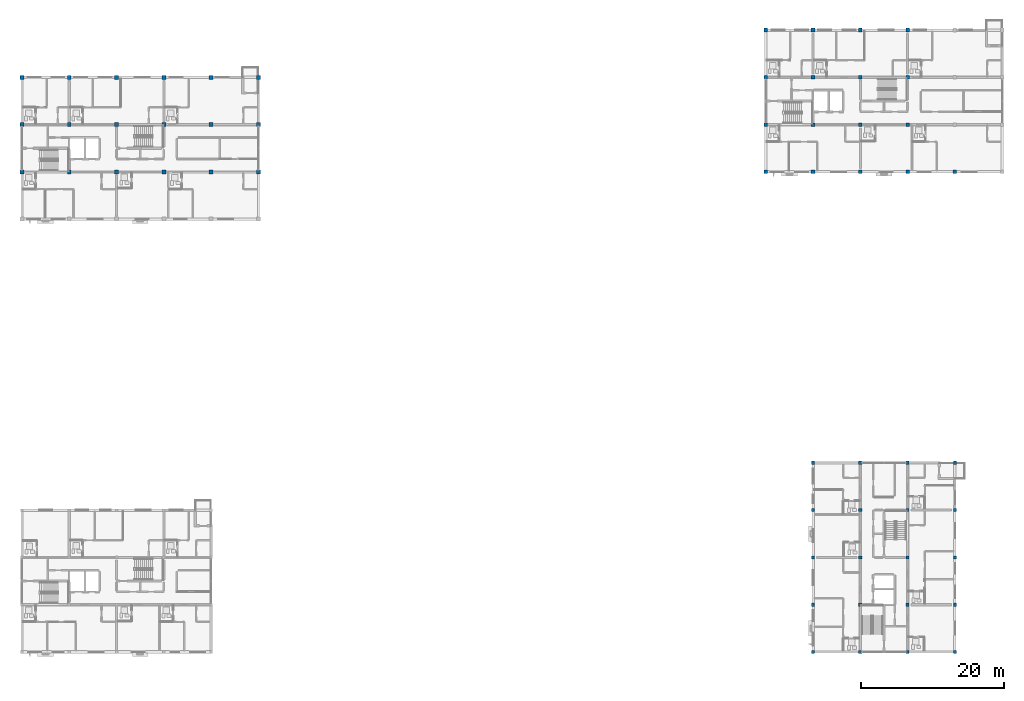
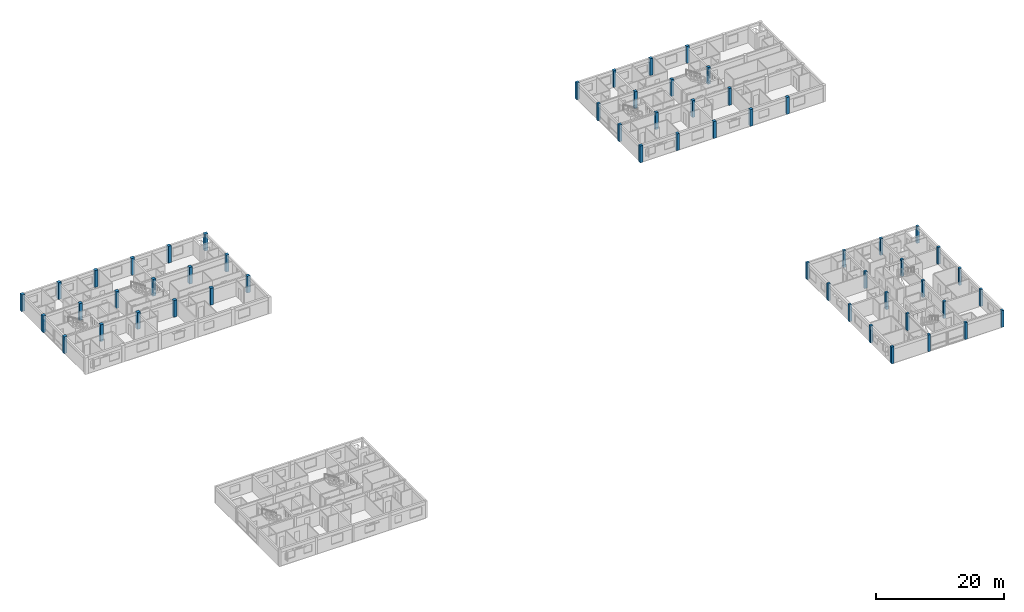
# One storey, part 2 of 53: 55 columns.
"""IFC4 building model written with IfcOpenShell, lengths in metres."""

from ifc_helpers import new_model, si_unit, direction, frame, origin, origin_2d, place, context, subcontext, project, spatial, rectangle, extrude, material, material_profile, profile_set, type_object, element, save


model = new_model("IFC4")

# Units and contexts
model_context = context("Model", 3, precision=1e-05, world=origin(), true_north=direction((0.0, 1.0)))
body_context = subcontext(model_context, "Body", "Model", "MODEL_VIEW")
ifc_project = project(units=[si_unit("LENGTHUNIT", "METRE"), si_unit("AREAUNIT", "SQUARE_METRE"), si_unit("VOLUMEUNIT", "CUBIC_METRE"), si_unit("PLANEANGLEUNIT", "RADIAN"), si_unit("MASSUNIT", "GRAM", prefix="KILO")], contexts=[model_context])

# Site, building, storey
site_placement = place(None, origin())
site = spatial("IfcSite", under=ifc_project, at=site_placement, CompositionType="ELEMENT")
building_placement = place(site_placement, origin())
building = spatial("IfcBuilding", under=site, at=building_placement, Name="Kernevlak Ridge Housing Community", CompositionType="ELEMENT")
storey_placement = place(building_placement, frame((0.0, 0.0, 24.39990234375)))
storey = spatial("IfcBuildingStorey", under=building, at=storey_placement, Name="L07", CompositionType="ELEMENT", Elevation=24.39990234375)

# Columns
ifc_material_1 = material(Name="Concrete C40/50", Category="concrete")
ifc_material_profile_1 = material_profile(ifc_material_1, rectangle(XDim=0.550048828125, YDim=0.550048828125, at=origin_2d()), Name="RC 550x550")
ifc_profile_set_1 = profile_set([ifc_material_profile_1], Name="Concrete C40/50")
column_type_1 = type_object("IfcColumnType", Name="C-02", PredefinedType="COLUMN", material=ifc_profile_set_1)
for number, where, z_axis, x_axis, name in (
    (1, (15.60009765625, 82.60009765625, 0.0), (0.0, 0.0, 1.0), (1.0, 0.0, 0.0), "Column C-02 COL-A-L07-00-1"),
    (2, (15.60009765625, 89.199951171875, 0.0), (0.0, 0.0, 1.0), (1.0, 0.0, 0.0), "Column C-02 COL-A-L07-00-2"),
    (3, (15.60009765625, 95.800048828125, 0.0), (0.0, 0.0, 1.0), (1.0, 0.0, 0.0), "Column C-02 COL-A-L07-00-3"),
    (4, (22.199951171875, 82.60009765625, 0.0), (0.0, 0.0, 1.0), (1.0, 0.0, 0.0), "Column C-02 COL-A-L07-01-1"),
    (5, (22.199951171875, 89.199951171875, 0.0), (0.0, 0.0, 1.0), (1.0, 0.0, 0.0), "Column C-02 COL-A-L07-01-2"),
    (6, (22.199951171875, 95.800048828125, 0.0), (0.0, 0.0, 1.0), (1.0, 0.0, 0.0), "Column C-02 COL-A-L07-01-3"),
    (7, (28.800048828125, 82.60009765625, 0.0), (0.0, 0.0, 1.0), (1.0, 0.0, 0.0), "Column C-02 COL-A-L07-02-1"),
    (8, (28.800048828125, 89.199951171875, 0.0), (0.0, 0.0, 1.0), (1.0, 0.0, 0.0), "Column C-02 COL-A-L07-02-2"),
    (9, (28.800048828125, 95.800048828125, 0.0), (0.0, 0.0, 1.0), (1.0, 0.0, 0.0), "Column C-02 COL-A-L07-02-3"),
    (10, (35.39990234375, 82.60009765625, 0.0), (0.0, 0.0, 1.0), (1.0, 0.0, 0.0), "Column C-02 COL-A-L07-03-1"),
    (11, (35.39990234375, 89.199951171875, 0.0), (0.0, 0.0, 1.0), (1.0, 0.0, 0.0), "Column C-02 COL-A-L07-03-2"),
    (12, (35.39990234375, 95.800048828125, 0.0), (0.0, 0.0, 1.0), (1.0, 0.0, 0.0), "Column C-02 COL-A-L07-03-3"),
    (13, (42.0, 82.60009765625, 0.0), (0.0, 0.0, 1.0), (1.0, 0.0, 0.0), "Column C-02 COL-A-L07-04-1"),
    (14, (42.0, 89.199951171875, 0.0), (0.0, 0.0, 1.0), (1.0, 0.0, 0.0), "Column C-02 COL-A-L07-04-2"),
    (15, (42.0, 95.800048828125, 0.0), (0.0, 0.0, 1.0), (1.0, 0.0, 0.0), "Column C-02 COL-A-L07-04-3"),
    (16, (48.60009765625, 82.60009765625, 0.0), (0.0, 0.0, 1.0), (1.0, 0.0, 0.0), "Column C-02 COL-A-L07-05-1"),
    (17, (48.60009765625, 89.199951171875, 0.0), (0.0, 0.0, 1.0), (1.0, 0.0, 0.0), "Column C-02 COL-A-L07-05-2"),
    (18, (48.60009765625, 95.800048828125, 0.0), (0.0, 0.0, 1.0), (1.0, 0.0, 0.0), "Column C-02 COL-A-L07-05-3"),
):
    element("IfcColumn", number, at=place(storey_placement, frame(where, z_axis=z_axis, x_axis=x_axis)), inside=storey, type_object=column_type_1, Name=name, PredefinedType="COLUMN", context=body_context, shape_type="SweptSolid", body=[
        extrude(rectangle(XDim=0.550048828125, YDim=0.550048828125, at=origin_2d()), origin(), (0.0, 0.0, 1.0), 3.2001953125),
    ])
ifc_material_profile_2 = material_profile(ifc_material_1, rectangle(XDim=0.5, YDim=0.5, at=origin_2d()), Name="RC 500x500")
ifc_profile_set_2 = profile_set([ifc_material_profile_2], Name="Concrete C40/50")
column_type_2 = type_object("IfcColumnType", Name="C-03", PredefinedType="COLUMN", material=ifc_profile_set_2)
for number, where, z_axis, x_axis, name in (
    (19, (119.39990234375, 82.60009765625, 0.0), (0.0, 0.0, 1.0), (1.0, 0.0, 0.0), "Column C-03 COL-B-L07-00-0"),
    (20, (119.39990234375, 89.199951171875, 0.0), (0.0, 0.0, 1.0), (1.0, 0.0, 0.0), "Column C-03 COL-B-L07-00-1"),
    (21, (119.39990234375, 95.800048828125, 0.0), (0.0, 0.0, 1.0), (1.0, 0.0, 0.0), "Column C-03 COL-B-L07-00-2"),
    (22, (119.39990234375, 102.39990234375, 0.0), (0.0, 0.0, 1.0), (1.0, 0.0, 0.0), "Column C-03 COL-B-L07-00-3"),
    (23, (126.0, 82.60009765625, 0.0), (0.0, 0.0, 1.0), (1.0, 0.0, 0.0), "Column C-03 COL-B-L07-01-0"),
    (24, (126.0, 89.199951171875, 0.0), (0.0, 0.0, 1.0), (1.0, 0.0, 0.0), "Column C-03 COL-B-L07-01-1"),
    (25, (126.0, 95.800048828125, 0.0), (0.0, 0.0, 1.0), (1.0, 0.0, 0.0), "Column C-03 COL-B-L07-01-2"),
    (26, (126.0, 102.39990234375, 0.0), (0.0, 0.0, 1.0), (1.0, 0.0, 0.0), "Column C-03 COL-B-L07-01-3"),
    (27, (132.60009765625, 82.60009765625, 0.0), (0.0, 0.0, 1.0), (1.0, 0.0, 0.0), "Column C-03 COL-B-L07-02-0"),
    (28, (132.60009765625, 89.199951171875, 0.0), (0.0, 0.0, 1.0), (1.0, 0.0, 0.0), "Column C-03 COL-B-L07-02-1"),
    (29, (132.60009765625, 95.800048828125, 0.0), (0.0, 0.0, 1.0), (1.0, 0.0, 0.0), "Column C-03 COL-B-L07-02-2"),
    (30, (132.60009765625, 102.39990234375, 0.0), (0.0, 0.0, 1.0), (1.0, 0.0, 0.0), "Column C-03 COL-B-L07-02-3"),
    (31, (139.199951171875, 82.60009765625, 0.0), (0.0, 0.0, 1.0), (1.0, 0.0, 0.0), "Column C-03 COL-B-L07-03-0"),
    (32, (139.199951171875, 89.199951171875, 0.0), (0.0, 0.0, 1.0), (1.0, 0.0, 0.0), "Column C-03 COL-B-L07-03-1"),
    (33, (139.199951171875, 95.800048828125, 0.0), (0.0, 0.0, 1.0), (1.0, 0.0, 0.0), "Column C-03 COL-B-L07-03-2"),
    (34, (139.199951171875, 102.39990234375, 0.0), (0.0, 0.0, 1.0), (1.0, 0.0, 0.0), "Column C-03 COL-B-L07-03-3"),
    (35, (145.800048828125, 82.60009765625, 0.0), (0.0, 0.0, 1.0), (1.0, 0.0, 0.0), "Column C-03 COL-B-L07-04-0"),
):
    element("IfcColumn", number, at=place(storey_placement, frame(where, z_axis=z_axis, x_axis=x_axis)), inside=storey, type_object=column_type_2, Name=name, PredefinedType="COLUMN", context=body_context, shape_type="SweptSolid", body=[
        extrude(rectangle(XDim=0.5, YDim=0.5, at=origin_2d()), origin(), (0.0, 0.0, 1.0), 3.2001953125),
    ])
ifc_material_2 = material(Name="Concrete C35/45", Category="concrete")
ifc_material_profile_3 = material_profile(ifc_material_2, rectangle(XDim=0.449951171875, YDim=0.449951171875, at=origin_2d()), Name="RC 450x450")
ifc_profile_set_3 = profile_set([ifc_material_profile_3], Name="Concrete C35/45")
column_type_3 = type_object("IfcColumnType", Name="C-04", PredefinedType="COLUMN", material=ifc_profile_set_3)
for number, where, z_axis, x_axis, name in (
    (36, (126.0, 15.60009765625, 0.0), (0.0, 0.0, 1.0), (1.0, 0.0, 0.0), "Column C-04 COL-C-L07-00-0"),
    (37, (132.60009765625, 15.60009765625, 0.0), (0.0, 0.0, 1.0), (1.0, 0.0, 0.0), "Column C-04 COL-C-L07-00-1"),
    (38, (139.199951171875, 15.60009765625, 0.0), (0.0, 0.0, 1.0), (1.0, 0.0, 0.0), "Column C-04 COL-C-L07-00-2"),
    (39, (145.800048828125, 15.60009765625, 0.0), (0.0, 0.0, 1.0), (1.0, 0.0, 0.0), "Column C-04 COL-C-L07-00-3"),
    (40, (126.0, 22.199951171875, 0.0), (0.0, 0.0, 1.0), (1.0, 0.0, 0.0), "Column C-04 COL-C-L07-01-0"),
    (41, (132.60009765625, 22.199951171875, 0.0), (0.0, 0.0, 1.0), (1.0, 0.0, 0.0), "Column C-04 COL-C-L07-01-1"),
    (42, (139.199951171875, 22.199951171875, 0.0), (0.0, 0.0, 1.0), (1.0, 0.0, 0.0), "Column C-04 COL-C-L07-01-2"),
    (43, (145.800048828125, 22.199951171875, 0.0), (0.0, 0.0, 1.0), (1.0, 0.0, 0.0), "Column C-04 COL-C-L07-01-3"),
    (44, (126.0, 28.800048828125, 0.0), (0.0, 0.0, 1.0), (1.0, 0.0, 0.0), "Column C-04 COL-C-L07-02-0"),
    (45, (132.60009765625, 28.800048828125, 0.0), (0.0, 0.0, 1.0), (1.0, 0.0, 0.0), "Column C-04 COL-C-L07-02-1"),
    (46, (139.199951171875, 28.800048828125, 0.0), (0.0, 0.0, 1.0), (1.0, 0.0, 0.0), "Column C-04 COL-C-L07-02-2"),
    (47, (145.800048828125, 28.800048828125, 0.0), (0.0, 0.0, 1.0), (1.0, 0.0, 0.0), "Column C-04 COL-C-L07-02-3"),
    (48, (126.0, 35.39990234375, 0.0), (0.0, 0.0, 1.0), (1.0, 0.0, 0.0), "Column C-04 COL-C-L07-03-0"),
    (49, (132.60009765625, 35.39990234375, 0.0), (0.0, 0.0, 1.0), (1.0, 0.0, 0.0), "Column C-04 COL-C-L07-03-1"),
    (50, (139.199951171875, 35.39990234375, 0.0), (0.0, 0.0, 1.0), (1.0, 0.0, 0.0), "Column C-04 COL-C-L07-03-2"),
    (51, (145.800048828125, 35.39990234375, 0.0), (0.0, 0.0, 1.0), (1.0, 0.0, 0.0), "Column C-04 COL-C-L07-03-3"),
    (52, (126.0, 42.0, 0.0), (0.0, 0.0, 1.0), (1.0, 0.0, 0.0), "Column C-04 COL-C-L07-04-0"),
    (53, (132.60009765625, 42.0, 0.0), (0.0, 0.0, 1.0), (1.0, 0.0, 0.0), "Column C-04 COL-C-L07-04-1"),
    (54, (139.199951171875, 42.0, 0.0), (0.0, 0.0, 1.0), (1.0, 0.0, 0.0), "Column C-04 COL-C-L07-04-2"),
    (55, (145.800048828125, 42.0, 0.0), (0.0, 0.0, 1.0), (1.0, 0.0, 0.0), "Column C-04 COL-C-L07-04-3"),
):
    element("IfcColumn", number, at=place(storey_placement, frame(where, z_axis=z_axis, x_axis=x_axis)), inside=storey, type_object=column_type_3, Name=name, PredefinedType="COLUMN", context=body_context, shape_type="SweptSolid", body=[
        extrude(rectangle(XDim=0.449951171875, YDim=0.449951171875, at=origin_2d()), origin(), (0.0, 0.0, 1.0), 3.2001953125),
    ])

save(model, "model.ifc")
